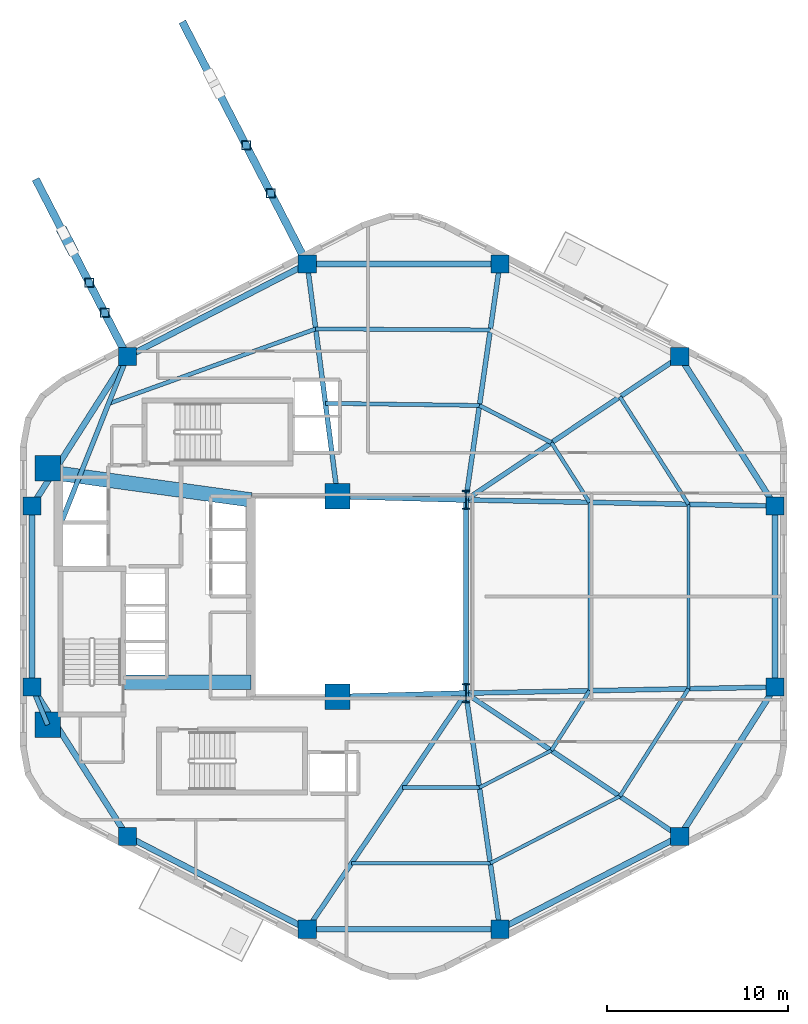
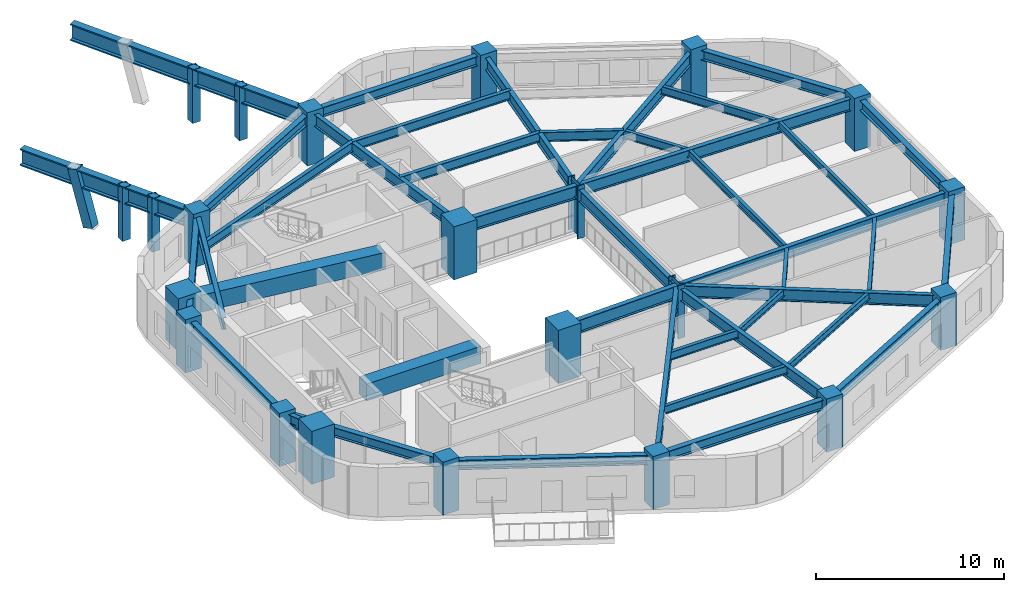
# One storey, part 1 of 8: 42 beams, 18 columns, 5 members.
"""IFC4 building model written with IfcOpenShell, lengths in metres."""

from ifc_helpers import new_model, si_unit, direction, frame, origin, origin_2d, place, context, subcontext, project, spatial, rectangle, hollow_rectangle, i_section, extrude, material, material_profile, profile_set, type_object, element, save


model = new_model("IFC4")

# Units and contexts
model_context = context("Model", 3, precision=1e-05, world=origin(), true_north=direction((0.0, 1.0)))
body_context = subcontext(model_context, "Body", "Model", "MODEL_VIEW")
ifc_project = project(units=[si_unit("LENGTHUNIT", "METRE"), si_unit("AREAUNIT", "SQUARE_METRE"), si_unit("VOLUMEUNIT", "CUBIC_METRE"), si_unit("PLANEANGLEUNIT", "RADIAN"), si_unit("MASSUNIT", "GRAM", prefix="KILO"), si_unit("THERMODYNAMICTEMPERATUREUNIT", "KELVIN"), si_unit("POWERUNIT", "WATT")], contexts=[model_context])

# Site, building, storey
site_placement = place(None, origin())
site = spatial("IfcSite", under=ifc_project, at=site_placement, CompositionType="ELEMENT")
building_placement = place(site_placement, origin())
building = spatial("IfcBuilding", under=site, at=building_placement, Name="Skarre Station Tower", CompositionType="ELEMENT")
storey_placement = place(building_placement, frame((0.0, 0.0, 132.60009765625)))
storey = spatial("IfcBuildingStorey", under=building, at=storey_placement, Name="L35", CompositionType="ELEMENT", Elevation=132.60009765625)

# Columns
ifc_material_1 = material(Name="Concrete C60/75", Category="concrete")
ifc_material_profile_1 = material_profile(ifc_material_1, rectangle(XDim=1.0, YDim=1.0, at=origin_2d()), Name="Concrete C60/75")
ifc_profile_set_1 = profile_set([ifc_material_profile_1], Name="Concrete C60/75")
column_type_1 = type_object("IfcColumnType", Name="RC Structural Column RC-COL-1000X1000", PredefinedType="COLUMN", material=ifc_profile_set_1)
for number, where, z_axis, x_axis, name in (
    (1, (51.291015625, 37.277099609375, 0.0), (0.0, 0.0, 1.0), (1.0, 0.0, 0.0), "L35 Zone 2 Perimeter Column F0C1"),
    (2, (41.3310546875, 42.41796875, 0.0), (0.0, 0.0, 1.0), (1.0, 0.0, 0.0), "L35 Zone 2 Perimeter Column F0C2"),
    (3, (30.6689453125, 42.41796875, 0.0), (0.0, 0.0, 1.0), (1.0, 0.0, 0.0), "L35 Zone 2 Perimeter Column F1C1"),
    (4, (20.708984375, 37.277099609375, 0.0), (0.0, 0.0, 1.0), (1.0, 0.0, 0.0), "L35 Zone 2 Perimeter Column F1C2"),
    (5, (15.431884765625, 29.010986328125, 0.0), (0.0, 0.0, 1.0), (1.0, 0.0, 0.0), "L35 Zone 2 Perimeter Column F2C1"),
    (6, (15.431884765625, 18.989013671875, 0.0), (0.0, 0.0, 1.0), (1.0, 0.0, 0.0), "L35 Zone 2 Perimeter Column F2C2"),
    (7, (20.708984375, 10.722900390625, 0.0), (0.0, 0.0, 1.0), (1.0, 0.0, 0.0), "L35 Zone 2 Perimeter Column F3C1"),
    (8, (30.6689453125, 5.58203125, 0.0), (0.0, 0.0, 1.0), (1.0, 0.0, 0.0), "L35 Zone 2 Perimeter Column F3C2"),
    (9, (41.3310546875, 5.58203125, 0.0), (0.0, 0.0, 1.0), (1.0, 0.0, 0.0), "L35 Zone 2 Perimeter Column F4C1"),
    (10, (51.291015625, 10.722900390625, 0.0), (0.0, 0.0, 1.0), (1.0, 0.0, 0.0), "L35 Zone 2 Perimeter Column F4C2"),
    (11, (56.568115234375, 18.989013671875, 0.0), (0.0, 0.0, 1.0), (1.0, 0.0, 0.0), "L35 Zone 2 Perimeter Column F5C1"),
    (12, (56.568115234375, 29.010986328125, 0.0), (0.0, 0.0, 1.0), (1.0, 0.0, 0.0), "L35 Zone 2 Perimeter Column F5C2"),
):
    element("IfcColumn", number, at=place(storey_placement, frame(where, z_axis=z_axis, x_axis=x_axis)), inside=storey, type_object=column_type_1, Name=name, PredefinedType="COLUMN", context=body_context, shape_type="SweptSolid", body=[
        extrude(rectangle(XDim=1.0, YDim=1.0, at=origin_2d()), origin(), (0.0, 0.0, 1.0), 3.449951171875),
    ])
ifc_material_2 = material(Name="Concrete C70/85", Category="concrete")
ifc_material_profile_2 = material_profile(ifc_material_2, rectangle(XDim=1.39990234375, YDim=1.39990234375, at=origin_2d()), Name="Concrete C70/85")
ifc_profile_set_2 = profile_set([ifc_material_profile_2], Name="Concrete C70/85")
column_type_2 = type_object("IfcColumnType", Name="RC Structural Column RC-COL-1400X1400", PredefinedType="COLUMN", material=ifc_profile_set_2)
for number, where, z_axis, x_axis, name in (
    (13, (16.300048828125, 16.89990234375, 0.0), (0.0, 0.0, 1.0), (1.0, 0.0, 0.0), "L35 Core Column CC-SW"),
    (14, (16.300048828125, 31.10009765625, 0.0), (0.0, 0.0, 1.0), (1.0, 0.0, 0.0), "L35 Core Column CC-NW"),
    (15, (32.35009765625, 18.449951171875, 0.0), (0.0, 0.0, 1.0), (1.0, 0.0, 0.0), "L35 Core Column CC-SE"),
    (16, (32.35009765625, 29.550048828125, 0.0), (0.0, 0.0, 1.0), (1.0, 0.0, 0.0), "L35 Core Column CC-NE"),
):
    element("IfcColumn", number, at=place(storey_placement, frame(where, z_axis=z_axis, x_axis=x_axis)), inside=storey, type_object=column_type_2, Name=name, PredefinedType="COLUMN", context=body_context, shape_type="SweptSolid", body=[
        extrude(rectangle(XDim=1.39990234375, YDim=1.39990234375, at=origin_2d()), origin(), (0.0, 0.0, 1.0), 3.449951171875),
    ])
ifc_material_3 = material(Name="Steel ASTM A913 Grade 65", Category="steel")
ifc_material_profile_3 = material_profile(ifc_material_3, i_section(OverallWidth=0.409912109375, OverallDepth=1.041015625, WebThickness=0.031005859375, FlangeThickness=0.055908203125, at=origin_2d()), Name="Steel ASTM A913 Grade 65")
ifc_profile_set_3 = profile_set([ifc_material_profile_3], Name="Steel ASTM A913 Grade 65")
column_type_3 = type_object("IfcColumnType", Name="Steel Column W40X397", PredefinedType="COLUMN", material=ifc_profile_set_3)
for number, where, z_axis, x_axis, name in (
    (17, (39.449951171875, 18.64990234375, 0.0), (0.0, 0.0, 1.0), (1.0, 0.0, 0.0), "L35 Atrium Spine Column AC-SE"),
    (18, (39.449951171875, 29.35009765625, 0.0), (0.0, 0.0, 1.0), (1.0, 0.0, 0.0), "L35 Atrium Spine Column AC-NE"),
):
    element("IfcColumn", number, at=place(storey_placement, frame(where, z_axis=z_axis, x_axis=x_axis)), inside=storey, type_object=column_type_3, Name=name, PredefinedType="COLUMN", context=body_context, shape_type="SweptSolid", body=[
        extrude(i_section(OverallWidth=0.409912109375, OverallDepth=1.041015625, WebThickness=0.031005859375, FlangeThickness=0.055908203125, at=origin_2d()), origin(), (0.0, 0.0, 1.0), 3.449951171875),
    ])

# Beams
ifc_material_profile_4 = material_profile(ifc_material_2, rectangle(XDim=0.800048828125, YDim=1.10009765625, at=origin_2d()), Name="Concrete C70/85")
ifc_profile_set_4 = profile_set([ifc_material_profile_4], Name="Concrete C70/85")
beam_type_1 = type_object("IfcBeamType", Name="RC Core Coupling Lintel 800x1100", PredefinedType="LINTEL", material=ifc_profile_set_4)
beam_1_placement = place(storey_placement, frame((20.489990234375, 19.260009765625, 2.639892578125), z_axis=(1.0, 0.0, 0.0), x_axis=(0.0, 1.0, 0.0)))
element("IfcBeam", 19, at=beam_1_placement, inside=storey, type_object=beam_type_1, Name="L35 South Core Coupling Lintel", PredefinedType="LINTEL", context=body_context, shape_type="SweptSolid", body=[
    extrude(rectangle(XDim=0.800048828125, YDim=1.10009765625, at=origin_2d()), origin(), (0.0, 0.0, 1.0), 7.06005859375),
])
beam_2_placement = place(storey_placement, frame((17.050048828125, 30.800048828125, 2.639892578125), z_axis=(0.990599723633, -0.136792498109, 0.0), x_axis=(0.136792498109, 0.990599723633, 0.0)))
element("IfcBeam", 20, at=beam_2_placement, inside=storey, type_object=beam_type_1, Name="L35 North Core Coupling Lintel", PredefinedType="LINTEL", context=body_context, shape_type="SweptSolid", body=[
    extrude(rectangle(XDim=0.800048828125, YDim=1.10009765625, at=origin_2d()), origin(), (0.0, 0.0, 1.0), 10.599609375),
])
ifc_material_4 = material(Name="Steel ASTM A992 Grade 50", Category="steel")
ifc_material_profile_5 = material_profile(ifc_material_4, i_section(OverallWidth=0.26806640625, OverallDepth=0.77001953125, WebThickness=0.01611328125, FlangeThickness=0.02490234375, at=origin_2d()), Name="Steel ASTM A992 Grade 50")
ifc_profile_set_5 = profile_set([ifc_material_profile_5], Name="Steel ASTM A992 Grade 50")
beam_type_2 = type_object("IfcBeamType", Name="Steel Beam W30X132", PredefinedType="BEAM", material=ifc_profile_set_5)
beam_3_placement = place(storey_placement, frame((39.449951171875, 18.64990234375, 2.804931640625), z_axis=(0.0, 1.0, 0.0), x_axis=(-1.0, 0.0, 0.0)))
element("IfcBeam", 21, at=beam_3_placement, inside=storey, type_object=beam_type_2, Name="L35 Atrium East Edge Girder", PredefinedType="BEAM", context=body_context, shape_type="SweptSolid", body=[
    extrude(i_section(OverallWidth=0.26806640625, OverallDepth=0.77001953125, WebThickness=0.01611328125, FlangeThickness=0.02490234375, at=origin_2d()), origin(), (0.0, 0.0, 1.0), 10.7001953125),
])
beam_4_placement = place(storey_placement, frame((39.449951171875, 29.35009765625, 2.804931640625), z_axis=(0.830981218317, 0.556300471692, 0.0), x_axis=(-0.556300471692, 0.830981218317, 0.0)))
element("IfcBeam", 22, at=beam_4_placement, inside=storey, type_object=beam_type_2, Name="L35 Radial Floor Girder F0C1", PredefinedType="BEAM", context=body_context, shape_type="SweptSolid", body=[
    extrude(i_section(OverallWidth=0.26806640625, OverallDepth=0.77001953125, WebThickness=0.01611328125, FlangeThickness=0.02490234375, at=origin_2d()), origin(), (0.0, 0.0, 1.0), 14.24951171875),
])
beam_5_placement = place(storey_placement, frame((39.449951171875, 29.35009765625, 2.804931640625), z_axis=(0.142480121776, 0.989797663616, 0.0), x_axis=(-0.989797663616, 0.142480121776, 0.0)))
element("IfcBeam", 23, at=beam_5_placement, inside=storey, type_object=beam_type_2, Name="L35 Radial Floor Girder F0C2", PredefinedType="BEAM", context=body_context, shape_type="SweptSolid", body=[
    extrude(i_section(OverallWidth=0.26806640625, OverallDepth=0.77001953125, WebThickness=0.01611328125, FlangeThickness=0.02490234375, at=origin_2d()), origin(), (0.0, 0.0, 1.0), 13.20263671875),
])
beam_6_placement = place(storey_placement, frame((32.35009765625, 29.550048828125, 2.804931640625), z_axis=(-0.129545878778, 0.991573429097, 0.0), x_axis=(-0.991573429097, -0.129545878778, 0.0)))
element("IfcBeam", 24, at=beam_6_placement, inside=storey, type_object=beam_type_2, Name="L35 Radial Floor Girder F1C1", PredefinedType="BEAM", context=body_context, shape_type="SweptSolid", body=[
    extrude(i_section(OverallWidth=0.26806640625, OverallDepth=0.77001953125, WebThickness=0.01611328125, FlangeThickness=0.02490234375, at=origin_2d()), origin(), (0.0, 0.0, 1.0), 12.977294921875),
])
beam_7_placement = place(storey_placement, frame((17.010009765625, 28.0, 2.804931640625), z_axis=(0.370366288946, 0.928885790618, 0.0), x_axis=(-0.928885790618, 0.370366288946, 0.0)))
element("IfcBeam", 25, at=beam_7_placement, inside=storey, type_object=beam_type_2, Name="L35 Radial Floor Girder F1C2", PredefinedType="BEAM", context=body_context, shape_type="SweptSolid", body=[
    extrude(i_section(OverallWidth=0.26806640625, OverallDepth=0.77001953125, WebThickness=0.01611328125, FlangeThickness=0.02490234375, at=origin_2d()), origin(), (0.0, 0.0, 1.0), 9.9873046875),
])
beam_8_placement = place(storey_placement, frame((16.300048828125, 16.89990234375, 2.804931640625), z_axis=(-0.383749333092, 0.923437301256, 0.0), x_axis=(-0.923437301256, -0.383749333092, 0.0)))
element("IfcBeam", 26, at=beam_8_placement, inside=storey, type_object=beam_type_2, Name="L35 Radial Floor Girder F2C2", PredefinedType="BEAM", context=body_context, shape_type="SweptSolid", body=[
    extrude(i_section(OverallWidth=0.26806640625, OverallDepth=0.77001953125, WebThickness=0.01611328125, FlangeThickness=0.02490234375, at=origin_2d()), origin(), (0.0, 0.0, 1.0), 2.26220703125),
])
beam_9_placement = place(storey_placement, frame((39.449951171875, 18.64990234375, 2.804931640625), z_axis=(-0.55773464691, -0.830019315219, 0.0), x_axis=(0.830019315219, -0.55773464691, 0.0)))
element("IfcBeam", 27, at=beam_9_placement, inside=storey, type_object=beam_type_2, Name="L35 Radial Floor Girder F3C2", PredefinedType="BEAM", context=body_context, shape_type="SweptSolid", body=[
    extrude(i_section(OverallWidth=0.26806640625, OverallDepth=0.77001953125, WebThickness=0.01611328125, FlangeThickness=0.02490234375, at=origin_2d()), origin(), (0.0, 0.0, 1.0), 15.744140625),
])
beam_10_placement = place(storey_placement, frame((39.449951171875, 18.64990234375, 2.804931640625), z_axis=(0.142480121776, -0.989797663616, 0.0), x_axis=(0.989797663616, 0.142480121776, 0.0)))
element("IfcBeam", 28, at=beam_10_placement, inside=storey, type_object=beam_type_2, Name="L35 Radial Floor Girder F4C1", PredefinedType="BEAM", context=body_context, shape_type="SweptSolid", body=[
    extrude(i_section(OverallWidth=0.26806640625, OverallDepth=0.77001953125, WebThickness=0.01611328125, FlangeThickness=0.02490234375, at=origin_2d()), origin(), (0.0, 0.0, 1.0), 13.20263671875),
])
beam_11_placement = place(storey_placement, frame((39.449951171875, 18.64990234375, 2.804931640625), z_axis=(0.830981218317, -0.556300471692, 0.0), x_axis=(0.556300471692, 0.830981218317, 0.0)))
element("IfcBeam", 29, at=beam_11_placement, inside=storey, type_object=beam_type_2, Name="L35 Radial Floor Girder F4C2", PredefinedType="BEAM", context=body_context, shape_type="SweptSolid", body=[
    extrude(i_section(OverallWidth=0.26806640625, OverallDepth=0.77001953125, WebThickness=0.01611328125, FlangeThickness=0.02490234375, at=origin_2d()), origin(), (0.0, 0.0, 1.0), 14.24951171875),
])
for number, where, z_axis, x_axis, name in (
    (30, (39.449951171875, 18.64990234375, 2.804931640625), (0.999803839107, 0.019806143142, 0.0), (-0.019806143142, 0.999803839107, 0.0), "L35 Radial Floor Girder F5C1"),
    (31, (39.449951171875, 29.35009765625, 2.804931640625), (0.999803839107, -0.019806143142, 0.0), (0.019806143142, 0.999803839107, 0.0), "L35 Radial Floor Girder F5C2"),
):
    element("IfcBeam", number, at=place(storey_placement, frame(where, z_axis=z_axis, x_axis=x_axis)), inside=storey, type_object=beam_type_2, Name=name, PredefinedType="BEAM", context=body_context, shape_type="SweptSolid", body=[
        extrude(i_section(OverallWidth=0.26806640625, OverallDepth=0.77001953125, WebThickness=0.01611328125, FlangeThickness=0.02490234375, at=origin_2d()), origin(), (0.0, 0.0, 1.0), 17.12158203125),
    ])
ifc_material_profile_6 = material_profile(ifc_material_4, i_section(OverallWidth=0.2919921875, OverallDepth=0.85888671875, WebThickness=0.01708984375, FlangeThickness=0.031005859375, at=origin_2d()), Name="Steel ASTM A992 Grade 50")
ifc_profile_set_6 = profile_set([ifc_material_profile_6], Name="Steel ASTM A992 Grade 50")
beam_type_3 = type_object("IfcBeamType", Name="Steel Beam W33X169", PredefinedType="BEAM", material=ifc_profile_set_6)
for number, where, z_axis, x_axis, name in (
    (32, (32.35009765625, 18.449951171875, 2.760986328125), (0.999603666405, 0.028151556095, 0.0), (-0.028151556095, 0.999603666405, 0.0), "L35 Atrium South Edge Girder"),
    (33, (32.35009765625, 29.550048828125, 2.760986328125), (0.999603666405, -0.028151556095, 0.0), (0.028151556095, 0.999603666405, 0.0), "L35 Atrium North Edge Girder"),
):
    element("IfcBeam", number, at=place(storey_placement, frame(where, z_axis=z_axis, x_axis=x_axis)), inside=storey, type_object=beam_type_3, Name=name, PredefinedType="BEAM", context=body_context, shape_type="SweptSolid", body=[
        extrude(i_section(OverallWidth=0.2919921875, OverallDepth=0.85888671875, WebThickness=0.01708984375, FlangeThickness=0.031005859375, at=origin_2d()), origin(), (0.0, 0.0, 1.0), 7.102783203125),
    ])
ifc_material_profile_7 = material_profile(ifc_material_4, i_section(OverallWidth=0.19091796875, OverallDepth=0.45703125, WebThickness=0.009033203125, FlangeThickness=0.013916015625, at=origin_2d()), Name="Steel ASTM A992 Grade 50")
ifc_profile_set_7 = profile_set([ifc_material_profile_7], Name="Steel ASTM A992 Grade 50")
beam_type_4 = type_object("IfcBeamType", Name="Steel Joist W18X50", PredefinedType="JOIST", material=ifc_profile_set_7)
beam_12_placement = place(storey_placement, frame((40.201904296875, 13.423095703125, 2.9609375), z_axis=(0.888658598325, 0.458569401097, 0.0), x_axis=(-0.458569401097, 0.888658598325, 0.0)))
element("IfcBeam", 34, at=beam_12_placement, inside=storey, type_object=beam_type_4, Name="L35 Auxiliary Composite Joist 9", PredefinedType="JOIST", context=body_context, shape_type="SweptSolid", body=[
    extrude(i_section(OverallWidth=0.19091796875, OverallDepth=0.45703125, WebThickness=0.009033203125, FlangeThickness=0.013916015625, at=origin_2d()), origin(), (0.0, 0.0, 1.0), 4.4833984375),
])
beam_13_placement = place(storey_placement, frame((40.803955078125, 9.240966796875, 2.9609375), z_axis=(0.888599977053, 0.458682985057, 0.0), x_axis=(-0.458682985057, 0.888599977053, 0.0)))
element("IfcBeam", 35, at=beam_13_placement, inside=storey, type_object=beam_type_4, Name="L35 Auxiliary Composite Joist 10", PredefinedType="JOIST", context=body_context, shape_type="SweptSolid", body=[
    extrude(i_section(OverallWidth=0.19091796875, OverallDepth=0.45703125, WebThickness=0.009033203125, FlangeThickness=0.013916015625, at=origin_2d()), origin(), (0.0, 0.0, 1.0), 8.0712890625),
])
beam_14_placement = place(storey_placement, frame((46.297119140625, 18.785888671875, 2.9609375), z_axis=(0.0, 1.0, 0.0), x_axis=(-1.0, 0.0, 0.0)))
element("IfcBeam", 36, at=beam_14_placement, inside=storey, type_object=beam_type_4, Name="L35 Auxiliary Composite Joist 13", PredefinedType="JOIST", context=body_context, shape_type="SweptSolid", body=[
    extrude(i_section(OverallWidth=0.19091796875, OverallDepth=0.45703125, WebThickness=0.009033203125, FlangeThickness=0.013916015625, at=origin_2d()), origin(), (0.0, 0.0, 1.0), 10.42822265625),
])
beam_15_placement = place(storey_placement, frame((51.77490234375, 18.89404296875, 2.9609375), z_axis=(0.0, 1.0, 0.0), x_axis=(-1.0, 0.0, 0.0)))
element("IfcBeam", 37, at=beam_15_placement, inside=storey, type_object=beam_type_4, Name="L35 Auxiliary Composite Joist 14", PredefinedType="JOIST", context=body_context, shape_type="SweptSolid", body=[
    extrude(i_section(OverallWidth=0.19091796875, OverallDepth=0.45703125, WebThickness=0.009033203125, FlangeThickness=0.013916015625, at=origin_2d()), origin(), (0.0, 0.0, 1.0), 10.2119140625),
])
ifc_material_profile_8 = material_profile(ifc_material_4, i_section(OverallWidth=0.208984375, OverallDepth=0.532958984375, WebThickness=0.010009765625, FlangeThickness=0.01611328125, at=origin_2d()), Name="Steel ASTM A992 Grade 50")
ifc_profile_set_8 = profile_set([ifc_material_profile_8], Name="Steel ASTM A992 Grade 50")
beam_type_5 = type_object("IfcBeamType", Name="Steel Joist W21X62", PredefinedType="JOIST", material=ifc_profile_set_8)
beam_16_placement = place(storey_placement, frame((35.93798828125, 13.423095703125, 2.9228515625), z_axis=(1.0, 0.0, 0.0), x_axis=(0.0, 1.0, 0.0)))
element("IfcBeam", 38, at=beam_16_placement, inside=storey, type_object=beam_type_5, Name="L35 Auxiliary Composite Joist 7", PredefinedType="JOIST", context=body_context, shape_type="SweptSolid", body=[
    extrude(i_section(OverallWidth=0.208984375, OverallDepth=0.532958984375, WebThickness=0.010009765625, FlangeThickness=0.01611328125, at=origin_2d()), origin(), (0.0, 0.0, 1.0), 4.263916015625),
])
beam_17_placement = place(storey_placement, frame((33.1279296875, 9.240966796875, 2.9228515625), z_axis=(1.0, 0.0, 0.0), x_axis=(0.0, 1.0, 0.0)))
element("IfcBeam", 39, at=beam_17_placement, inside=storey, type_object=beam_type_5, Name="L35 Auxiliary Composite Joist 8", PredefinedType="JOIST", context=body_context, shape_type="SweptSolid", body=[
    extrude(i_section(OverallWidth=0.208984375, OverallDepth=0.532958984375, WebThickness=0.010009765625, FlangeThickness=0.01611328125, at=origin_2d()), origin(), (0.0, 0.0, 1.0), 7.676025390625),
])
beam_18_placement = place(storey_placement, frame((44.18603515625, 15.47900390625, 2.9228515625), z_axis=(0.538090955129, 0.842886780065, 0.0), x_axis=(-0.842886780065, 0.538090955129, 0.0)))
element("IfcBeam", 40, at=beam_18_placement, inside=storey, type_object=beam_type_5, Name="L35 Auxiliary Composite Joist 11", PredefinedType="JOIST", context=body_context, shape_type="SweptSolid", body=[
    extrude(i_section(OverallWidth=0.208984375, OverallDepth=0.532958984375, WebThickness=0.010009765625, FlangeThickness=0.01611328125, at=origin_2d()), origin(), (0.0, 0.0, 1.0), 3.92333984375),
])
beam_19_placement = place(storey_placement, frame((47.97607421875, 12.943115234375, 2.9228515625), z_axis=(0.538072046089, 0.842898851119, 0.0), x_axis=(-0.842898851119, 0.538072046089, 0.0)))
element("IfcBeam", 41, at=beam_19_placement, inside=storey, type_object=beam_type_5, Name="L35 Auxiliary Composite Joist 12", PredefinedType="JOIST", context=body_context, shape_type="SweptSolid", body=[
    extrude(i_section(OverallWidth=0.208984375, OverallDepth=0.532958984375, WebThickness=0.010009765625, FlangeThickness=0.01611328125, at=origin_2d()), origin(), (0.0, 0.0, 1.0), 7.06005859375),
])
beam_20_placement = place(storey_placement, frame((46.297119140625, 29.214111328125, 2.9228515625), z_axis=(-0.538090955129, 0.842886780065, 0.0), x_axis=(-0.842886780065, -0.538090955129, 0.0)))
element("IfcBeam", 42, at=beam_20_placement, inside=storey, type_object=beam_type_5, Name="L35 Auxiliary Composite Joist 15", PredefinedType="JOIST", context=body_context, shape_type="SweptSolid", body=[
    extrude(i_section(OverallWidth=0.208984375, OverallDepth=0.532958984375, WebThickness=0.010009765625, FlangeThickness=0.01611328125, at=origin_2d()), origin(), (0.0, 0.0, 1.0), 3.92333984375),
])
beam_21_placement = place(storey_placement, frame((51.77490234375, 29.10595703125, 2.9228515625), z_axis=(-0.538072046089, 0.842898851119, 0.0), x_axis=(-0.842898851119, -0.538072046089, 0.0)))
element("IfcBeam", 43, at=beam_21_placement, inside=storey, type_object=beam_type_5, Name="L35 Auxiliary Composite Joist 16", PredefinedType="JOIST", context=body_context, shape_type="SweptSolid", body=[
    extrude(i_section(OverallWidth=0.208984375, OverallDepth=0.532958984375, WebThickness=0.010009765625, FlangeThickness=0.01611328125, at=origin_2d()), origin(), (0.0, 0.0, 1.0), 7.06005859375),
])
ifc_material_profile_9 = material_profile(ifc_material_4, i_section(OverallWidth=0.22802734375, OverallDepth=0.60791015625, WebThickness=0.010986328125, FlangeThickness=0.01708984375, at=origin_2d()), Name="Steel ASTM A992 Grade 50")
ifc_profile_set_9 = profile_set([ifc_material_profile_9], Name="Steel ASTM A992 Grade 50")
beam_type_6 = type_object("IfcBeamType", Name="Steel Joist W24X76", PredefinedType="JOIST", material=ifc_profile_set_9)
beam_22_placement = place(storey_placement, frame((44.18603515625, 32.52099609375, 2.885986328125), z_axis=(-0.888658598325, 0.458569401097, 0.0), x_axis=(-0.458569401097, -0.888658598325, 0.0)))
element("IfcBeam", 44, at=beam_22_placement, inside=storey, type_object=beam_type_6, Name="L35 Secondary Floor Joist 1", PredefinedType="JOIST", context=body_context, shape_type="SweptSolid", body=[
    extrude(i_section(OverallWidth=0.22802734375, OverallDepth=0.60791015625, WebThickness=0.010986328125, FlangeThickness=0.01708984375, at=origin_2d()), origin(), (0.0, 0.0, 1.0), 4.4833984375),
])
beam_23_placement = place(storey_placement, frame((40.201904296875, 34.576904296875, 2.885986328125), z_axis=(-0.999900725817, 0.014090369396, 0.0), x_axis=(-0.014090369396, -0.999900725817, 0.0)))
element("IfcBeam", 45, at=beam_23_placement, inside=storey, type_object=beam_type_6, Name="L35 Secondary Floor Joist 3", PredefinedType="JOIST", context=body_context, shape_type="SweptSolid", body=[
    extrude(i_section(OverallWidth=0.22802734375, OverallDepth=0.60791015625, WebThickness=0.010986328125, FlangeThickness=0.01708984375, at=origin_2d()), origin(), (0.0, 0.0, 1.0), 8.524658203125),
])
beam_24_placement = place(storey_placement, frame((40.803955078125, 38.759033203125, 2.885986328125), z_axis=(-0.999983266349, 0.005785068917, 0.0), x_axis=(-0.005785068917, -0.999983266349, 0.0)))
element("IfcBeam", 46, at=beam_24_placement, inside=storey, type_object=beam_type_6, Name="L35 Secondary Floor Joist 4", PredefinedType="JOIST", context=body_context, shape_type="SweptSolid", body=[
    extrude(i_section(OverallWidth=0.22802734375, OverallDepth=0.60791015625, WebThickness=0.010986328125, FlangeThickness=0.01708984375, at=origin_2d()), origin(), (0.0, 0.0, 1.0), 9.664306640625),
])
beam_25_placement = place(storey_placement, frame((31.139892578125, 38.81494140625, 2.885986328125), z_axis=(-0.940679663546, -0.339295992594, 0.0), x_axis=(0.339295992594, -0.940679663546, 0.0)))
element("IfcBeam", 47, at=beam_25_placement, inside=storey, type_object=beam_type_6, Name="L35 Secondary Floor Joist 6", PredefinedType="JOIST", context=body_context, shape_type="SweptSolid", body=[
    extrude(i_section(OverallWidth=0.22802734375, OverallDepth=0.60791015625, WebThickness=0.010986328125, FlangeThickness=0.01708984375, at=origin_2d()), origin(), (0.0, 0.0, 1.0), 12.18994140625),
])
ifc_material_profile_10 = material_profile(ifc_material_4, i_section(OverallWidth=0.327880859375, OverallDepth=0.6279296875, WebThickness=0.01708984375, FlangeThickness=0.028076171875, at=origin_2d()), Name="Steel ASTM A992 Grade 50")
ifc_profile_set_10 = profile_set([ifc_material_profile_10], Name="Steel ASTM A992 Grade 50")
beam_type_7 = type_object("IfcBeamType", Name="Steel Spandrel W24X146", PredefinedType="SPANDREL", material=ifc_profile_set_10)
beam_26_placement = place(storey_placement, frame((41.3310546875, 42.41796875, 2.8759765625), z_axis=(-1.0, 0.0, 0.0), x_axis=(0.0, -1.0, 0.0)))
element("IfcBeam", 48, at=beam_26_placement, inside=storey, type_object=beam_type_7, Name="L35 Facet Spandrel Beam 2", PredefinedType="SPANDREL", context=body_context, shape_type="SweptSolid", body=[
    extrude(i_section(OverallWidth=0.327880859375, OverallDepth=0.6279296875, WebThickness=0.01708984375, FlangeThickness=0.028076171875, at=origin_2d()), origin(), (0.0, 0.0, 1.0), 10.662109375),
])
beam_27_placement = place(storey_placement, frame((30.6689453125, 42.41796875, 2.8759765625), z_axis=(-0.888611779493, -0.458660119639, 0.0), x_axis=(0.458660119639, -0.888611779493, 0.0)))
element("IfcBeam", 49, at=beam_27_placement, inside=storey, type_object=beam_type_7, Name="L35 Facet Spandrel Beam 3", PredefinedType="SPANDREL", context=body_context, shape_type="SweptSolid", body=[
    extrude(i_section(OverallWidth=0.327880859375, OverallDepth=0.6279296875, WebThickness=0.01708984375, FlangeThickness=0.028076171875, at=origin_2d()), origin(), (0.0, 0.0, 1.0), 11.20849609375),
])
beam_28_placement = place(storey_placement, frame((20.708984375, 37.277099609375, 2.8759765625), z_axis=(-0.538097547923, -0.842882571251, 0.0), x_axis=(0.842882571251, -0.538097547923, 0.0)))
element("IfcBeam", 50, at=beam_28_placement, inside=storey, type_object=beam_type_7, Name="L35 Facet Spandrel Beam 4", PredefinedType="SPANDREL", context=body_context, shape_type="SweptSolid", body=[
    extrude(i_section(OverallWidth=0.327880859375, OverallDepth=0.6279296875, WebThickness=0.01708984375, FlangeThickness=0.028076171875, at=origin_2d()), origin(), (0.0, 0.0, 1.0), 9.806884765625),
])
beam_29_placement = place(storey_placement, frame((15.431884765625, 29.010986328125, 2.8759765625), z_axis=(0.0, -1.0, 0.0), x_axis=(1.0, 0.0, 0.0)))
element("IfcBeam", 51, at=beam_29_placement, inside=storey, type_object=beam_type_7, Name="L35 Facet Spandrel Beam 5", PredefinedType="SPANDREL", context=body_context, shape_type="SweptSolid", body=[
    extrude(i_section(OverallWidth=0.327880859375, OverallDepth=0.6279296875, WebThickness=0.01708984375, FlangeThickness=0.028076171875, at=origin_2d()), origin(), (0.0, 0.0, 1.0), 10.02197265625),
])
beam_30_placement = place(storey_placement, frame((15.431884765625, 18.989013671875, 2.8759765625), z_axis=(0.538097547923, -0.842882571251, 0.0), x_axis=(0.842882571251, 0.538097547923, 0.0)))
element("IfcBeam", 52, at=beam_30_placement, inside=storey, type_object=beam_type_7, Name="L35 Facet Spandrel Beam 6", PredefinedType="SPANDREL", context=body_context, shape_type="SweptSolid", body=[
    extrude(i_section(OverallWidth=0.327880859375, OverallDepth=0.6279296875, WebThickness=0.01708984375, FlangeThickness=0.028076171875, at=origin_2d()), origin(), (0.0, 0.0, 1.0), 9.806884765625),
])
beam_31_placement = place(storey_placement, frame((20.708984375, 10.722900390625, 2.8759765625), z_axis=(0.888611779493, -0.458660119639, 0.0), x_axis=(0.458660119639, 0.888611779493, 0.0)))
element("IfcBeam", 53, at=beam_31_placement, inside=storey, type_object=beam_type_7, Name="L35 Facet Spandrel Beam 7", PredefinedType="SPANDREL", context=body_context, shape_type="SweptSolid", body=[
    extrude(i_section(OverallWidth=0.327880859375, OverallDepth=0.6279296875, WebThickness=0.01708984375, FlangeThickness=0.028076171875, at=origin_2d()), origin(), (0.0, 0.0, 1.0), 11.20849609375),
])
beam_32_placement = place(storey_placement, frame((30.6689453125, 5.58203125, 2.8759765625), z_axis=(1.0, 0.0, 0.0), x_axis=(0.0, 1.0, 0.0)))
element("IfcBeam", 54, at=beam_32_placement, inside=storey, type_object=beam_type_7, Name="L35 Facet Spandrel Beam 8", PredefinedType="SPANDREL", context=body_context, shape_type="SweptSolid", body=[
    extrude(i_section(OverallWidth=0.327880859375, OverallDepth=0.6279296875, WebThickness=0.01708984375, FlangeThickness=0.028076171875, at=origin_2d()), origin(), (0.0, 0.0, 1.0), 10.662109375),
])
beam_33_placement = place(storey_placement, frame((41.3310546875, 5.58203125, 2.8759765625), z_axis=(0.888611779493, 0.458660119639, 0.0), x_axis=(-0.458660119639, 0.888611779493, 0.0)))
element("IfcBeam", 55, at=beam_33_placement, inside=storey, type_object=beam_type_7, Name="L35 Facet Spandrel Beam 9", PredefinedType="SPANDREL", context=body_context, shape_type="SweptSolid", body=[
    extrude(i_section(OverallWidth=0.327880859375, OverallDepth=0.6279296875, WebThickness=0.01708984375, FlangeThickness=0.028076171875, at=origin_2d()), origin(), (0.0, 0.0, 1.0), 11.20849609375),
])
beam_34_placement = place(storey_placement, frame((51.291015625, 10.722900390625, 2.8759765625), z_axis=(0.538097547923, 0.842882571251, 0.0), x_axis=(-0.842882571251, 0.538097547923, 0.0)))
element("IfcBeam", 56, at=beam_34_placement, inside=storey, type_object=beam_type_7, Name="L35 Facet Spandrel Beam 10", PredefinedType="SPANDREL", context=body_context, shape_type="SweptSolid", body=[
    extrude(i_section(OverallWidth=0.327880859375, OverallDepth=0.6279296875, WebThickness=0.01708984375, FlangeThickness=0.028076171875, at=origin_2d()), origin(), (0.0, 0.0, 1.0), 9.806884765625),
])
beam_35_placement = place(storey_placement, frame((56.568115234375, 18.989013671875, 2.8759765625), z_axis=(0.0, 1.0, 0.0), x_axis=(-1.0, 0.0, 0.0)))
element("IfcBeam", 57, at=beam_35_placement, inside=storey, type_object=beam_type_7, Name="L35 Facet Spandrel Beam 11", PredefinedType="SPANDREL", context=body_context, shape_type="SweptSolid", body=[
    extrude(i_section(OverallWidth=0.327880859375, OverallDepth=0.6279296875, WebThickness=0.01708984375, FlangeThickness=0.028076171875, at=origin_2d()), origin(), (0.0, 0.0, 1.0), 10.02197265625),
])
beam_36_placement = place(storey_placement, frame((56.568115234375, 29.010986328125, 2.8759765625), z_axis=(-0.538097547923, 0.842882571251, 0.0), x_axis=(-0.842882571251, -0.538097547923, 0.0)))
element("IfcBeam", 58, at=beam_36_placement, inside=storey, type_object=beam_type_7, Name="L35 Facet Spandrel Beam 12", PredefinedType="SPANDREL", context=body_context, shape_type="SweptSolid", body=[
    extrude(i_section(OverallWidth=0.327880859375, OverallDepth=0.6279296875, WebThickness=0.01708984375, FlangeThickness=0.028076171875, at=origin_2d()), origin(), (0.0, 0.0, 1.0), 9.806884765625),
])
ifc_material_profile_11 = material_profile(ifc_material_3, i_section(OverallWidth=0.424072265625, OverallDepth=1.092041015625, WebThickness=0.044921875, FlangeThickness=0.08203125, at=origin_2d()), Name="Steel ASTM A913 Grade 65")
ifc_profile_set_11 = profile_set([ifc_material_profile_11], Name="Steel ASTM A913 Grade 65")
beam_type_8 = type_object("IfcBeamType", Name="Steel Transfer Girder W40X593", PredefinedType="USERDEFINED", material=ifc_profile_set_11)
beam_37_placement = place(storey_placement, frame((30.6689453125, 42.41796875, 2.643798828125), z_axis=(-0.458633022099, 0.88862576546, 0.0), x_axis=(-0.88862576546, -0.458633022099, 0.0)))
element("IfcBeam", 59, at=beam_37_placement, inside=storey, type_object=beam_type_8, Name="L35 SB-3 Exoskeleton Tier-3 Transfer Girder S1", ObjectType="TRANSFER_GIRDER", PredefinedType="USERDEFINED", context=body_context, shape_type="SweptSolid", body=[
    extrude(i_section(OverallWidth=0.424072265625, OverallDepth=1.092041015625, WebThickness=0.044921875, FlangeThickness=0.08203125, at=origin_2d()), origin(), (0.0, 0.0, 1.0), 15.07958984375),
])
beam_38_placement = place(storey_placement, frame((20.708984375, 37.277099609375, 2.643798828125), z_axis=(-0.458681717124, 0.888600631542, 0.0), x_axis=(-0.888600631542, -0.458681717124, 0.0)))
element("IfcBeam", 60, at=beam_38_placement, inside=storey, type_object=beam_type_8, Name="L35 SB-3 Exoskeleton Tier-3 Transfer Girder S2", ObjectType="TRANSFER_GIRDER", PredefinedType="USERDEFINED", context=body_context, shape_type="SweptSolid", body=[
    extrude(i_section(OverallWidth=0.424072265625, OverallDepth=1.092041015625, WebThickness=0.044921875, FlangeThickness=0.08203125, at=origin_2d()), origin(), (0.0, 0.0, 1.0), 11.06005859375),
])

# Members
ifc_material_5 = material(Name="Steel ASTM A501 Grade B", Category="steel")
ifc_material_profile_12 = material_profile(ifc_material_5, hollow_rectangle(XDim=0.5, YDim=0.5, WallThickness=0.02490234375, at=origin_2d()), Name="Steel ASTM A501 Grade B")
ifc_profile_set_12 = profile_set([ifc_material_profile_12], Name="Steel ASTM A501 Grade B")
member_type_1 = type_object("IfcMemberType", Name="Steel Truss Strut HSS500X500X25", PredefinedType="STRUT", material=ifc_profile_set_12)
for number, where, z_axis, x_axis, name in (
    (61, (28.65087890625, 46.327880859375, -0.280029296875), (0.0, 0.0, 1.0), (1.0, 0.0, 0.0), "L35 SB-3 Exoskeleton Post Tier 3-1 S1"),
    (62, (27.283935546875, 48.97607421875, -0.280029296875), (0.0, 0.0, 1.0), (1.0, 0.0, 0.0), "L35 SB-3 Exoskeleton Post Tier 3-2 S1"),
    (63, (19.45703125, 39.702880859375, -0.280029296875), (0.0, 0.0, 1.0), (1.0, 0.0, 0.0), "L35 SB-3 Exoskeleton Post Tier 3-1 S2"),
    (64, (18.59912109375, 41.364990234375, -0.280029296875), (0.0, 0.0, 1.0), (1.0, 0.0, 0.0), "L35 SB-3 Exoskeleton Post Tier 3-2 S2"),
):
    element("IfcMember", number, at=place(storey_placement, frame(where, z_axis=z_axis, x_axis=x_axis)), inside=storey, type_object=member_type_1, Name=name, PredefinedType="STRUT", context=body_context, shape_type="SweptSolid", body=[
        extrude(hollow_rectangle(XDim=0.5, YDim=0.5, WallThickness=0.02490234375, at=origin_2d()), origin(), (0.0, 0.0, 1.0), 3.469970703125),
    ])
ifc_material_profile_13 = material_profile(ifc_material_5, hollow_rectangle(XDim=0.60009765625, YDim=0.60009765625, WallThickness=0.028076171875, at=origin_2d()), Name="Steel ASTM A501 Grade B")
ifc_profile_set_13 = profile_set([ifc_material_profile_13], Name="Steel ASTM A501 Grade B")
member_type_2 = type_object("IfcMemberType", Name="Steel Truss Strut HSS600X600X28", PredefinedType="STRUT", material=ifc_profile_set_13)
member_placement = place(storey_placement, frame((17.631103515625, 43.239990234375, -0.280029296875), z_axis=(-0.126838862042, 0.245902420707, 0.960959886034), x_axis=(-0.88873628303, -0.458418825121, 0.0)))
element("IfcMember", 65, at=member_placement, inside=storey, type_object=member_type_2, Name="L35 SB-3 Exoskeleton Raking Strut Tier 3 S2", PredefinedType="STRUT", context=body_context, shape_type="SweptSolid", body=[
    extrude(hollow_rectangle(XDim=0.60009765625, YDim=0.60009765625, WallThickness=0.028076171875, at=origin_2d()), origin(), (0.0, 0.0, 1.0), 3.61083984375),
])

save(model, "model.ifc")
